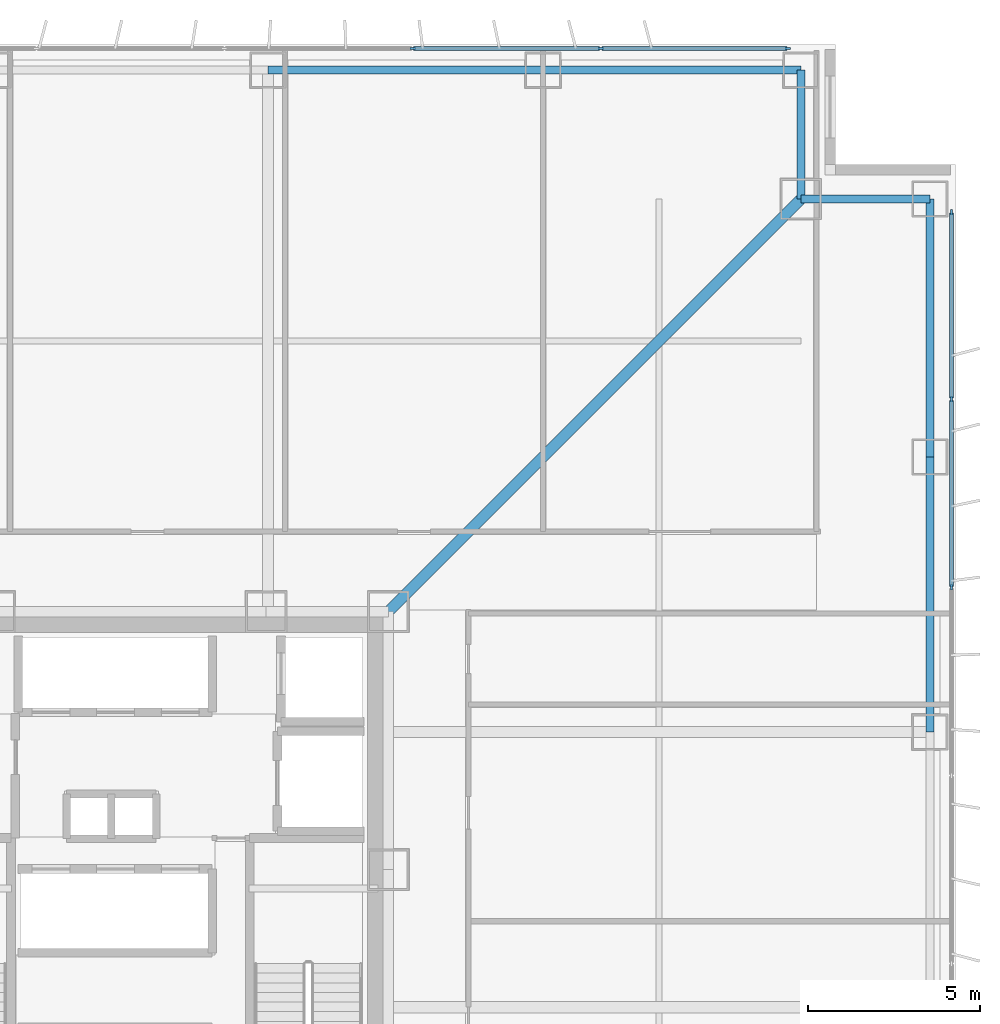
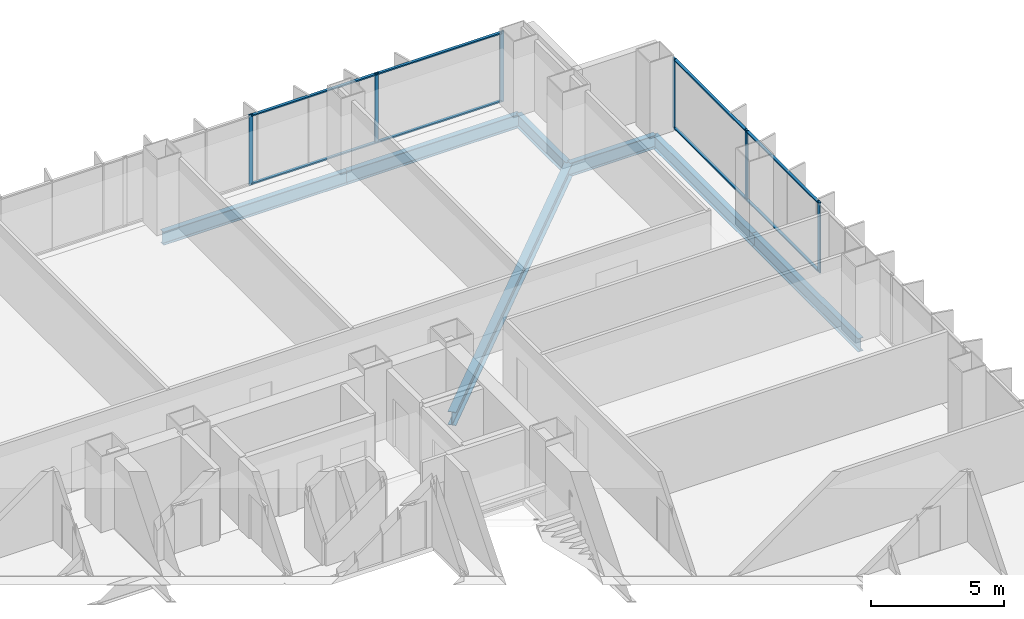
# One storey, part 12 of 19: 14 members, 7 beams, 2 elements without a shape of their own.
"""IFC4 building model written with IfcOpenShell, lengths in metres."""

from ifc_helpers import new_model, si_unit, direction, frame, origin, origin_2d, place, context, subcontext, project, spatial, rectangle, i_section, extrude, material, layer, layer_set, material_profile, profile_set, type_object, element, aggregate, save


model = new_model("IFC4")

# Units and contexts
model_context = context("Model", 3, precision=1e-05, world=origin(), true_north=direction((0.0, 1.0)))
body_context = subcontext(model_context, "Body", "Model", "MODEL_VIEW")
ifc_project = project(units=[si_unit("LENGTHUNIT", "METRE"), si_unit("AREAUNIT", "SQUARE_METRE"), si_unit("VOLUMEUNIT", "CUBIC_METRE"), si_unit("PLANEANGLEUNIT", "RADIAN"), si_unit("MASSUNIT", "GRAM", prefix="KILO")], contexts=[model_context])

# Site, building, storey
site_placement = place(None, origin())
site = spatial("IfcSite", under=ifc_project, at=site_placement, CompositionType="ELEMENT")
building_placement = place(site_placement, origin())
building = spatial("IfcBuilding", under=site, at=building_placement, Name="Trevonay Congress Spire", CompositionType="ELEMENT")
storey_placement = place(building_placement, frame((0.0, 0.0, 58.5)))
storey = spatial("IfcBuildingStorey", under=building, at=storey_placement, Name="L14", CompositionType="ELEMENT", Elevation=58.5)

# Beams
ifc_material_1 = material(Name="Steel ASTM A572 Grade 50", Category="steel")
ifc_material_profile_1 = material_profile(ifc_material_1, i_section(OverallWidth=0.324951171875, OverallDepth=0.615966796875, WebThickness=0.013916015625, FlangeThickness=0.021484375, FilletRadius=0.01806640625, at=origin_2d()), Name="W610x174")
ifc_profile_set_1 = profile_set([ifc_material_profile_1], Name="Steel ASTM A572 Grade 50")
beam_type_1 = type_object("IfcBeamType", Name="BM-GIRD-W610X174", PredefinedType="BEAM", material=ifc_profile_set_1)
beam_placement = place(storey_placement, frame((7.5, 7.5, -0.55810546875), z_axis=(0.707106781187, 0.707106781187, 0.0), x_axis=(-0.707106781187, 0.707106781187, 0.0)))
element("IfcBeam", 1, at=beam_placement, inside=storey, type_object=beam_type_1, Name="L14 structural beam BM-L14-CDNE", PredefinedType="BEAM", context=body_context, shape_type="SweptSolid", body=[
    extrude(i_section(OverallWidth=0.324951171875, OverallDepth=0.615966796875, WebThickness=0.013916015625, FlangeThickness=0.021484375, FilletRadius=0.01806640625, at=origin_2d()), origin(), (0.0, 0.0, 1.0), 16.970458984375),
])
ifc_material_profile_2 = material_profile(ifc_material_1, i_section(OverallWidth=0.22998046875, OverallDepth=0.616943359375, WebThickness=0.01318359375, FlangeThickness=0.022216796875, FilletRadius=0.01611328125, at=origin_2d()), Name="W610x140")
ifc_profile_set_2 = profile_set([ifc_material_profile_2], Name="Steel ASTM A572 Grade 50")
beam_type_2 = type_object("IfcBeamType", Name="BM-RING-W610X140", PredefinedType="BEAM", material=ifc_profile_set_2)
for number, where, z_axis, x_axis, name in (
    (2, (4.0, 23.25, -0.55859375), (1.0, 0.0, 0.0), (0.0, 1.0, 0.0), "L14 structural beam BM-L14-PN4"),
    (3, (23.25, 4.0, -0.55859375), (0.0, 1.0, 0.0), (-1.0, 0.0, 0.0), "L14 structural beam BM-L14-PE4"),
):
    element("IfcBeam", number, at=place(storey_placement, frame(where, z_axis=z_axis, x_axis=x_axis)), inside=storey, type_object=beam_type_2, Name=name, PredefinedType="BEAM", context=body_context, shape_type="SweptSolid", body=[
        extrude(i_section(OverallWidth=0.22998046875, OverallDepth=0.616943359375, WebThickness=0.01318359375, FlangeThickness=0.022216796875, FilletRadius=0.01611328125, at=origin_2d()), origin(), (0.0, 0.0, 1.0), 8.0),
    ])
for number, where, z_axis, x_axis, name in (
    (4, (12.0, 23.25, -0.55859375), (1.0, 0.0, 0.0), (0.0, 1.0, 0.0), "L14 structural beam BM-L14-PN5"),
    (5, (23.25, 12.0, -0.55859375), (0.0, 1.0, 0.0), (-1.0, 0.0, 0.0), "L14 structural beam BM-L14-PE5"),
):
    element("IfcBeam", number, at=place(storey_placement, frame(where, z_axis=z_axis, x_axis=x_axis)), inside=storey, type_object=beam_type_2, Name=name, PredefinedType="BEAM", context=body_context, shape_type="SweptSolid", body=[
        extrude(i_section(OverallWidth=0.22998046875, OverallDepth=0.616943359375, WebThickness=0.01318359375, FlangeThickness=0.022216796875, FilletRadius=0.01611328125, at=origin_2d()), origin(), (0.0, 0.0, 1.0), 7.5),
    ])
for number, where, z_axis, x_axis, name in (
    (6, (19.5, 23.25, -0.55859375), (0.0, -1.0, 0.0), (1.0, 0.0, 0.0), "L14 structural beam BM-L14-N1NE"),
    (7, (23.25, 19.5, -0.55859375), (-1.0, 0.0, 0.0), (0.0, -1.0, 0.0), "L14 structural beam BM-L14-N2NE"),
):
    element("IfcBeam", number, at=place(storey_placement, frame(where, z_axis=z_axis, x_axis=x_axis)), inside=storey, type_object=beam_type_2, Name=name, PredefinedType="BEAM", context=body_context, shape_type="SweptSolid", body=[
        extrude(i_section(OverallWidth=0.22998046875, OverallDepth=0.616943359375, WebThickness=0.01318359375, FlangeThickness=0.022216796875, FilletRadius=0.01611328125, at=origin_2d()), origin(), (0.0, 0.0, 1.0), 3.75),
    ])

# Curtain wall, members
ifc_material_2 = material(Name="Pale Anodised Aluminium EN AW-6063-T6", Category="aluminium")
ifc_layer = layer(ifc_material_2, 0.179931640625, Name="Pale Anodised Aluminium EN AW-6063-T6")
ifc_layer_set = layer_set([ifc_layer], Name="Pale Anodised Aluminium EN AW-6063-T6")
curtain_wall_type = type_object("IfcCurtainWallType", Name="CW-SYS02-HOTEL-PALE-METAL", PredefinedType="NOTDEFINED", material=ifc_layer_set)
curtain_wall_1_placement = place(storey_placement, origin())
curtain_wall_1 = element("IfcCurtainWall", 8, at=curtain_wall_1_placement, inside=storey, type_object=curtain_wall_type, Name="L14 N unitised curtain wall", PredefinedType="NOTDEFINED")
ifc_material_profile_3 = material_profile(ifc_material_2, rectangle(XDim=0.06005859375, YDim=0.159912109375, at=origin_2d()), Name="CW-MULLION-160-ALUMINIUM")
ifc_profile_set_3 = profile_set([ifc_material_profile_3], Name="Pale Anodised Aluminium EN AW-6063-T6")
member_type_1 = type_object("IfcMemberType", Name="CW-MULLION-160-ALUMINIUM", PredefinedType="MULLION", material=ifc_profile_set_3)
member_1_placement = place(storey_placement, frame((8.20703125, 23.8798828125, 0.0), z_axis=(0.0, 0.0, 1.0), x_axis=(0.0, 1.0, 0.0)))
member_1 = element("IfcMember", 9, at=member_1_placement, type_object=member_type_1, Name="CW02 mullion 6", PredefinedType="MULLION", context=body_context, shape_type="SweptSolid", body=[
    extrude(rectangle(XDim=0.06005859375, YDim=0.159912109375, at=origin_2d()), origin(), (0.0, 0.0, 1.0), 3.25),
])
member_2_placement = place(storey_placement, frame((13.678466796875, 23.8798828125, 0.0), z_axis=(0.0, 0.0, 1.0), x_axis=(0.0, 1.0, 0.0)))
member_2 = element("IfcMember", 10, at=member_2_placement, type_object=member_type_1, Name="CW02 mullion 7", PredefinedType="MULLION", context=body_context, shape_type="SweptSolid", body=[
    extrude(rectangle(XDim=0.06005859375, YDim=0.159912109375, at=origin_2d()), origin(), (0.0, 0.0, 1.0), 3.25),
])
member_3_placement = place(storey_placement, frame((19.1201171875, 23.8798828125, 0.0), z_axis=(0.0, 0.0, 1.0), x_axis=(0.0, 1.0, 0.0)))
member_3 = element("IfcMember", 11, at=member_3_placement, type_object=member_type_1, Name="CW02 mullion 8", PredefinedType="MULLION", context=body_context, shape_type="SweptSolid", body=[
    extrude(rectangle(XDim=0.06005859375, YDim=0.159912109375, at=origin_2d()), origin(), (0.0, 0.0, 1.0), 3.25),
])

curtain_wall_2_placement = place(storey_placement, origin())
curtain_wall_2 = element("IfcCurtainWall", 12, at=curtain_wall_2_placement, inside=storey, type_object=curtain_wall_type, Name="L14 E unitised curtain wall", PredefinedType="NOTDEFINED")
member_4_placement = place(storey_placement, frame((23.8798828125, 8.20703125, 0.0), z_axis=(0.0, 0.0, 1.0), x_axis=(-1.0, 0.0, 0.0)))
member_4 = element("IfcMember", 13, at=member_4_placement, type_object=member_type_1, Name="CW02 mullion 6", PredefinedType="MULLION", context=body_context, shape_type="SweptSolid", body=[
    extrude(rectangle(XDim=0.06005859375, YDim=0.159912109375, at=origin_2d()), origin(), (0.0, 0.0, 1.0), 3.25),
])
member_5_placement = place(storey_placement, frame((23.8798828125, 13.678466796875, 0.0), z_axis=(0.0, 0.0, 1.0), x_axis=(-1.0, 0.0, 0.0)))
member_5 = element("IfcMember", 14, at=member_5_placement, type_object=member_type_1, Name="CW02 mullion 7", PredefinedType="MULLION", context=body_context, shape_type="SweptSolid", body=[
    extrude(rectangle(XDim=0.06005859375, YDim=0.159912109375, at=origin_2d()), origin(), (0.0, 0.0, 1.0), 3.25),
])
member_6_placement = place(storey_placement, frame((23.8798828125, 19.1201171875, 0.0), z_axis=(0.0, 0.0, 1.0), x_axis=(-1.0, 0.0, 0.0)))
member_6 = element("IfcMember", 15, at=member_6_placement, type_object=member_type_1, Name="CW02 mullion 8", PredefinedType="MULLION", context=body_context, shape_type="SweptSolid", body=[
    extrude(rectangle(XDim=0.06005859375, YDim=0.159912109375, at=origin_2d()), origin(), (0.0, 0.0, 1.0), 3.25),
])

# Member
ifc_material_profile_4 = material_profile(ifc_material_2, rectangle(XDim=0.1201171875, YDim=0.06005859375, at=origin_2d()), Name="CW-TRANSOM-120-ALUMINIUM")
ifc_profile_set_4 = profile_set([ifc_material_profile_4], Name="Pale Anodised Aluminium EN AW-6063-T6")
member_type_2 = type_object("IfcMemberType", Name="CW-TRANSOM-120-ALUMINIUM", PredefinedType="USERDEFINED", material=ifc_profile_set_4)
member_7_placement = place(storey_placement, frame((8.237060546875, 23.8798828125, 0.06005859375), z_axis=(1.0, 0.0, 0.0), x_axis=(0.0, 1.0, 0.0)))
member_7 = element("IfcMember", 16, at=member_7_placement, type_object=member_type_2, Name="CW02 transom 6.1", ObjectType="TRANSOM", PredefinedType="USERDEFINED", context=body_context, shape_type="SweptSolid", body=[
    extrude(rectangle(XDim=0.1201171875, YDim=0.06005859375, at=origin_2d()), origin(), (0.0, 0.0, 1.0), 5.41162109375),
])

member_8_placement = place(storey_placement, frame((8.237060546875, 23.8798828125, 3.18994140625), z_axis=(1.0, 0.0, 0.0), x_axis=(0.0, 1.0, 0.0)))
member_8 = element("IfcMember", 17, at=member_8_placement, type_object=member_type_2, Name="CW02 transom 6.2", ObjectType="TRANSOM", PredefinedType="USERDEFINED", context=body_context, shape_type="SweptSolid", body=[
    extrude(rectangle(XDim=0.1201171875, YDim=0.06005859375, at=origin_2d()), origin(), (0.0, 0.0, 1.0), 5.41162109375),
])

member_9_placement = place(storey_placement, frame((13.70849609375, 23.8798828125, 0.06005859375), z_axis=(1.0, 0.0, 0.0), x_axis=(0.0, 1.0, 0.0)))
member_9 = element("IfcMember", 18, at=member_9_placement, type_object=member_type_2, Name="CW02 transom 7.1", ObjectType="TRANSOM", PredefinedType="USERDEFINED", context=body_context, shape_type="SweptSolid", body=[
    extrude(rectangle(XDim=0.1201171875, YDim=0.06005859375, at=origin_2d()), origin(), (0.0, 0.0, 1.0), 5.381591796875),
])

member_10_placement = place(storey_placement, frame((13.70849609375, 23.8798828125, 3.18994140625), z_axis=(1.0, 0.0, 0.0), x_axis=(0.0, 1.0, 0.0)))
member_10 = element("IfcMember", 19, at=member_10_placement, type_object=member_type_2, Name="CW02 transom 7.2", ObjectType="TRANSOM", PredefinedType="USERDEFINED", context=body_context, shape_type="SweptSolid", body=[
    extrude(rectangle(XDim=0.1201171875, YDim=0.06005859375, at=origin_2d()), origin(), (0.0, 0.0, 1.0), 5.381591796875),
])

aggregate(curtain_wall_1, [member_1, member_2, member_3, member_7, member_8, member_9, member_10])

member_11_placement = place(storey_placement, frame((23.8798828125, 8.237060546875, 0.06005859375), z_axis=(0.0, 1.0, 0.0), x_axis=(-1.0, 0.0, 0.0)))
member_11 = element("IfcMember", 20, at=member_11_placement, type_object=member_type_2, Name="CW02 transom 6.1", ObjectType="TRANSOM", PredefinedType="USERDEFINED", context=body_context, shape_type="SweptSolid", body=[
    extrude(rectangle(XDim=0.1201171875, YDim=0.06005859375, at=origin_2d()), origin(), (0.0, 0.0, 1.0), 5.41162109375),
])

member_12_placement = place(storey_placement, frame((23.8798828125, 8.237060546875, 3.18994140625), z_axis=(0.0, 1.0, 0.0), x_axis=(-1.0, 0.0, 0.0)))
member_12 = element("IfcMember", 21, at=member_12_placement, type_object=member_type_2, Name="CW02 transom 6.2", ObjectType="TRANSOM", PredefinedType="USERDEFINED", context=body_context, shape_type="SweptSolid", body=[
    extrude(rectangle(XDim=0.1201171875, YDim=0.06005859375, at=origin_2d()), origin(), (0.0, 0.0, 1.0), 5.41162109375),
])

member_13_placement = place(storey_placement, frame((23.8798828125, 13.70849609375, 0.06005859375), z_axis=(0.0, 1.0, 0.0), x_axis=(-1.0, 0.0, 0.0)))
member_13 = element("IfcMember", 22, at=member_13_placement, type_object=member_type_2, Name="CW02 transom 7.1", ObjectType="TRANSOM", PredefinedType="USERDEFINED", context=body_context, shape_type="SweptSolid", body=[
    extrude(rectangle(XDim=0.1201171875, YDim=0.06005859375, at=origin_2d()), origin(), (0.0, 0.0, 1.0), 5.381591796875),
])

member_14_placement = place(storey_placement, frame((23.8798828125, 13.70849609375, 3.18994140625), z_axis=(0.0, 1.0, 0.0), x_axis=(-1.0, 0.0, 0.0)))
member_14 = element("IfcMember", 23, at=member_14_placement, type_object=member_type_2, Name="CW02 transom 7.2", ObjectType="TRANSOM", PredefinedType="USERDEFINED", context=body_context, shape_type="SweptSolid", body=[
    extrude(rectangle(XDim=0.1201171875, YDim=0.06005859375, at=origin_2d()), origin(), (0.0, 0.0, 1.0), 5.381591796875),
])

aggregate(curtain_wall_2, [member_4, member_5, member_6, member_11, member_12, member_13, member_14])

save(model, "model.ifc")
